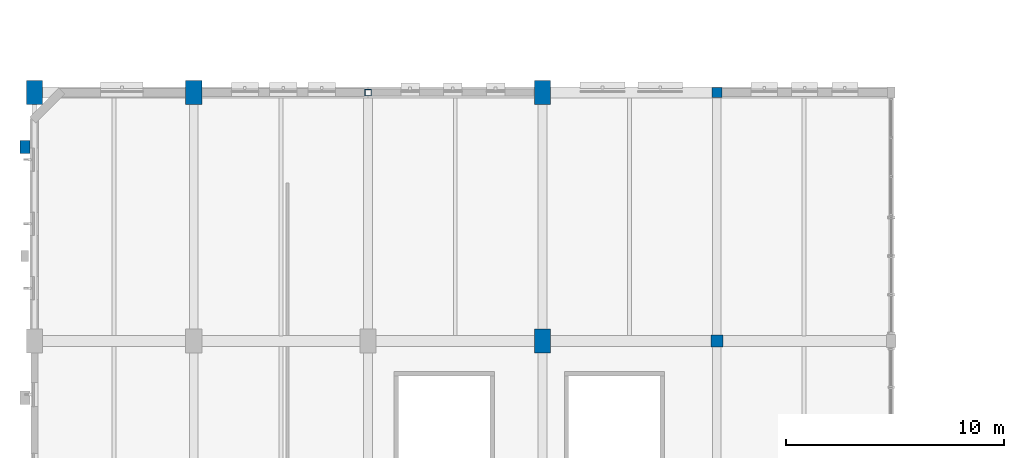
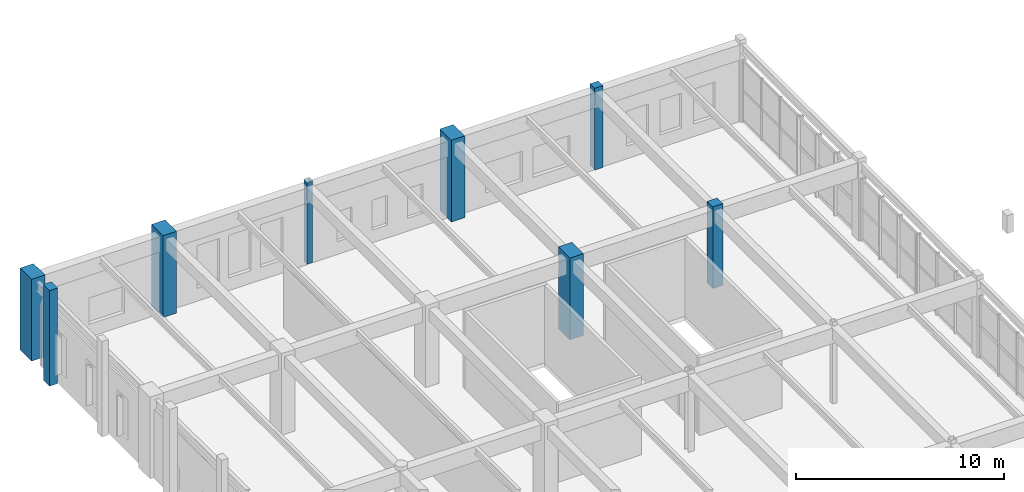
# One storey, part 8 of 106: 8 columns.
"""IFC4 building model written with IfcOpenShell, lengths in metres."""

from ifc_helpers import new_model, si_unit, direction, frame, origin, origin_2d, place, context, subcontext, project, spatial, rectangle, hollow_rectangle, extrude, material, material_profile, profile_set, type_object, element, save


model = new_model("IFC4")

# Units and contexts
model_context = context("Model", 3, precision=1e-05, world=origin(), true_north=direction((0.0, 1.0)))
body_context = subcontext(model_context, "Body", "Model", "MODEL_VIEW")
ifc_project = project(units=[si_unit("LENGTHUNIT", "METRE"), si_unit("AREAUNIT", "SQUARE_METRE"), si_unit("VOLUMEUNIT", "CUBIC_METRE"), si_unit("PLANEANGLEUNIT", "RADIAN"), si_unit("MASSUNIT", "GRAM", prefix="KILO"), si_unit("POWERUNIT", "WATT"), si_unit("THERMODYNAMICTEMPERATUREUNIT", "KELVIN")], contexts=[model_context])

# Site, building, storey
site_placement = place(None, origin())
site = spatial("IfcSite", under=ifc_project, at=site_placement, CompositionType="ELEMENT")
building_placement = place(site_placement, origin())
building = spatial("IfcBuilding", under=site, at=building_placement, Name="Kelmbourne Parkland Aquatics Centre", CompositionType="ELEMENT")
storey_placement = place(building_placement, frame((0.0, 0.0, 5.39990234375)))
storey = spatial("IfcBuildingStorey", under=building, at=storey_placement, Name="L01", CompositionType="ELEMENT", Elevation=5.39990234375)

# Columns
ifc_material_1 = material(Name="Concrete C40/50", Category="concrete")
ifc_material_profile_1 = material_profile(ifc_material_1, rectangle(XDim=0.75, YDim=1.10009765625, at=origin_2d()), Name="RC 750x1100")
ifc_profile_set_1 = profile_set([ifc_material_profile_1], Name="Concrete C40/50")
column_type_1 = type_object("IfcColumnType", Name="COL-C03", PredefinedType="COLUMN", material=ifc_profile_set_1)
for number, where, z_axis, x_axis, name in (
    (1, (0.699951171875, 92.0, 0.0), (0.0, 0.0, 1.0), (1.0, 0.0, 0.0), "Structural column A-12 (L01)"),
    (2, (8.0, 92.0, 0.0), (0.0, 0.0, 1.0), (1.0, 0.0, 0.0), "Structural column B-12 (L01)"),
    (3, (24.0, 80.60009765625, 0.0), (0.0, 0.0, 1.0), (1.0, 0.0, 0.0), "Structural column D-11 (L01)"),
    (4, (24.0, 92.0, 0.0), (0.0, 0.0, 1.0), (1.0, 0.0, 0.0), "Structural column D-12 (L01)"),
):
    element("IfcColumn", number, at=place(storey_placement, frame(where, z_axis=z_axis, x_axis=x_axis)), inside=storey, type_object=column_type_1, Name=name, PredefinedType="COLUMN", context=body_context, shape_type="SweptSolid", body=[
        extrude(rectangle(XDim=0.75, YDim=1.10009765625, at=origin_2d()), origin(), (0.0, 0.0, 1.0), 4.800048828125),
    ])
ifc_material_profile_2 = material_profile(ifc_material_1, rectangle(XDim=0.550048828125, YDim=0.550048828125, at=origin_2d()), Name="RC 550x550")
ifc_profile_set_2 = profile_set([ifc_material_profile_2], Name="Concrete C40/50")
column_type_2 = type_object("IfcColumnType", Name="COL-C07", PredefinedType="COLUMN", material=ifc_profile_set_2)
column_1_placement = place(storey_placement, frame((32.0, 80.60009765625, 0.0), z_axis=(0.0, 0.0, 1.0), x_axis=(1.0, 0.0, 0.0)))
element("IfcColumn", 5, at=column_1_placement, inside=storey, type_object=column_type_2, Name="Structural column E-11 (L01)", PredefinedType="COLUMN", context=body_context, shape_type="SweptSolid", body=[
    extrude(rectangle(XDim=0.550048828125, YDim=0.550048828125, at=origin_2d()), origin(), (0.0, 0.0, 1.0), 4.800048828125),
])
ifc_material_profile_3 = material_profile(ifc_material_1, rectangle(XDim=0.449951171875, YDim=0.449951171875, at=origin_2d()), Name="RC 450x450")
ifc_profile_set_3 = profile_set([ifc_material_profile_3], Name="Concrete C40/50")
column_type_3 = type_object("IfcColumnType", Name="COL-C08", PredefinedType="COLUMN", material=ifc_profile_set_3)
column_2_placement = place(storey_placement, frame((32.0, 92.0, 0.0), z_axis=(0.0, 0.0, 1.0), x_axis=(1.0, 0.0, 0.0)))
element("IfcColumn", 6, at=column_2_placement, inside=storey, type_object=column_type_3, Name="Structural column E-12 (L01)", PredefinedType="COLUMN", context=body_context, shape_type="SweptSolid", body=[
    extrude(rectangle(XDim=0.449951171875, YDim=0.449951171875, at=origin_2d()), origin(), (0.0, 0.0, 1.0), 4.800048828125),
])
ifc_material_2 = material(Name="Cold-formed hollow steel AS/NZS 1163 C350L0", Category="steel")
ifc_material_profile_4 = material_profile(ifc_material_2, hollow_rectangle(XDim=0.300048828125, YDim=0.300048828125, WallThickness=0.012451171875, at=origin_2d()), Name="SHS 300x300x12.5")
ifc_profile_set_4 = profile_set([ifc_material_profile_4], Name="Cold-formed hollow steel AS/NZS 1163 C350L0")
column_type_4 = type_object("IfcColumnType", Name="COL-C22", PredefinedType="COLUMN", material=ifc_profile_set_4)
column_3_placement = place(storey_placement, frame((16.0, 92.0, 0.0), z_axis=(0.0, 0.0, 1.0), x_axis=(1.0, 0.0, 0.0)))
element("IfcColumn", 7, at=column_3_placement, inside=storey, type_object=column_type_4, Name="Structural column C-12 (L01)", PredefinedType="COLUMN", context=body_context, shape_type="SweptSolid", body=[
    extrude(hollow_rectangle(XDim=0.300048828125, YDim=0.300048828125, WallThickness=0.012451171875, at=origin_2d()), origin(), (0.0, 0.0, 1.0), 4.800048828125),
])
ifc_material_3 = material(Name="Clay brick masonry AS 3700 M12", Category="masonry")
ifc_material_profile_5 = material_profile(ifc_material_3, rectangle(XDim=0.449951171875, YDim=0.60009765625, at=origin_2d()), Name="PIL 450x600")
ifc_profile_set_5 = profile_set([ifc_material_profile_5], Name="Clay brick masonry AS 3700 M12")
column_type_5 = type_object("IfcColumnType", Name="PIL-PL2", PredefinedType="PILASTER", material=ifc_profile_set_5)
column_4_placement = place(storey_placement, frame((0.260009765625, 89.5, 0.0), z_axis=(0.0, 0.0, 1.0), x_axis=(1.0, 0.0, 0.0)))
element("IfcColumn", 8, at=column_4_placement, inside=storey, type_object=column_type_5, Name="Amsterdam School engaged brick buttress W-016 (L01)", PredefinedType="PILASTER", context=body_context, shape_type="SweptSolid", body=[
    extrude(rectangle(XDim=0.449951171875, YDim=0.60009765625, at=origin_2d()), origin(), (0.0, 0.0, 1.0), 5.60009765625),
])

save(model, "model.ifc")
